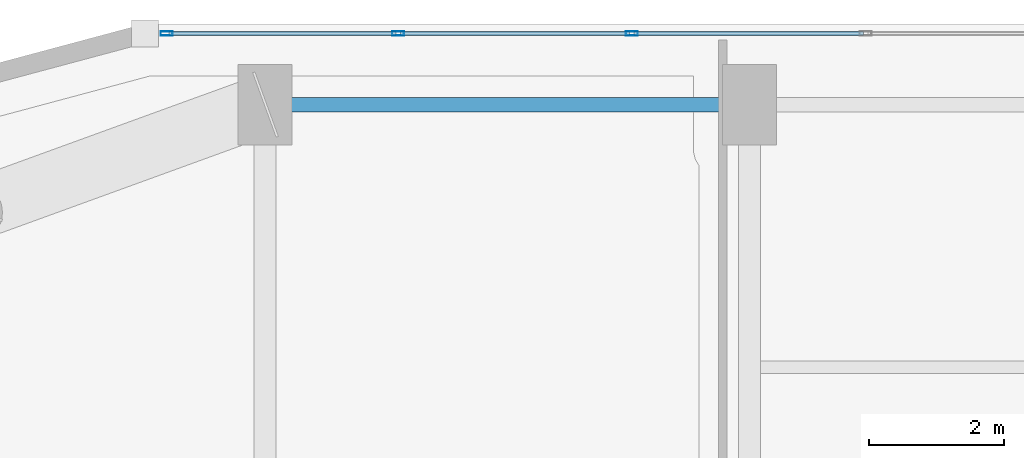
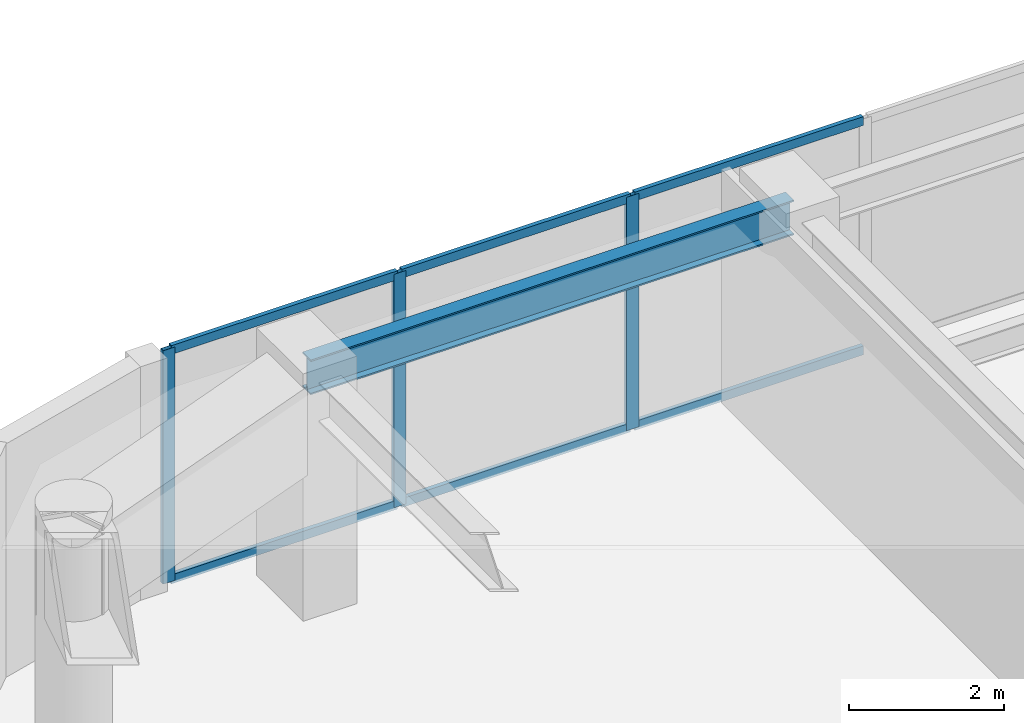
# One storey, part 17 of 30: 9 members, 1 beam, 1 element without a shape of its own.
"""IFC4 building model written with IfcOpenShell, lengths in metres."""

from ifc_helpers import new_model, si_unit, direction, frame, origin, origin_2d, place, context, subcontext, project, spatial, hollow_rectangle, i_section, extrude, material, layer, layer_set, material_profile, profile_set, type_object, element, aggregate, save


model = new_model("IFC4")

# Units and contexts
model_context = context("Model", 3, precision=1e-05, world=origin(), true_north=direction((0.0, 1.0)))
body_context = subcontext(model_context, "Body", "Model", "MODEL_VIEW")
ifc_project = project(units=[si_unit("LENGTHUNIT", "METRE"), si_unit("AREAUNIT", "SQUARE_METRE"), si_unit("VOLUMEUNIT", "CUBIC_METRE"), si_unit("PLANEANGLEUNIT", "RADIAN"), si_unit("MASSUNIT", "GRAM", prefix="KILO")], contexts=[model_context])

# Site, building, storey
site_placement = place(None, origin())
site = spatial("IfcSite", under=ifc_project, at=site_placement, CompositionType="ELEMENT")
building_placement = place(site_placement, origin())
building = spatial("IfcBuilding", under=site, at=building_placement, Name="Kiyonajd Concourse Tower", CompositionType="ELEMENT")
storey_placement = place(building_placement, frame((0.0, 0.0, 166.199951171875)))
storey = spatial("IfcBuildingStorey", under=building, at=storey_placement, Name="L42", CompositionType="ELEMENT", Elevation=166.199951171875)

# Beam
ifc_material_1 = material(Name="Steel ASTM A992 Grade 50", Category="steel")
ifc_material_profile_1 = material_profile(ifc_material_1, i_section(OverallWidth=0.214111328125, OverallDepth=0.549072265625, WebThickness=0.0146484375, FlangeThickness=0.023681640625, at=origin_2d()), Name="W530X138")
ifc_profile_set_1 = profile_set([ifc_material_profile_1], Name="Steel ASTM A992 Grade 50")
beam_type = type_object("IfcBeamType", Name="BM-SPAN-530A", PredefinedType="SPANDREL", material=ifc_profile_set_1)
beam_placement = place(storey_placement, frame((32.39990234375, 61.199951171875, 3.405517578125), z_axis=(-1.0, 0.0, 0.0), x_axis=(0.0, -1.0, 0.0)))
element("IfcBeam", 1, at=beam_placement, inside=storey, type_object=beam_type, Name="L42 Perimeter Bundled Tube Spandrel", PredefinedType="SPANDREL", context=body_context, shape_type="SweptSolid", body=[
    extrude(i_section(OverallWidth=0.214111328125, OverallDepth=0.549072265625, WebThickness=0.0146484375, FlangeThickness=0.023681640625, at=origin_2d()), origin(), (0.0, 0.0, 1.0), 7.199951171875),
])

# Curtain wall, members
ifc_material_2 = material(Name="Thermally Broken Anodised Aluminium", Category="aluminium")
ifc_layer = layer(ifc_material_2, 0.179931640625)
ifc_layer_set = layer_set([ifc_layer], Name="Thermally Broken Anodised Aluminium")
curtain_wall_type = type_object("IfcCurtainWallType", Name="CW-SYS-03", PredefinedType="NOTDEFINED", material=ifc_layer_set)
curtain_wall_placement = place(storey_placement, origin())
curtain_wall = element("IfcCurtainWall", 2, at=curtain_wall_placement, inside=storey, type_object=curtain_wall_type, Name="L42 Unitised Curtain Wall CW3", PredefinedType="NOTDEFINED")
ifc_material_profile_2 = material_profile(ifc_material_2, hollow_rectangle(XDim=0.06494140625, YDim=0.179931640625, WallThickness=0.00390625, at=origin_2d()), Name="MULL-65x180")
ifc_profile_set_2 = profile_set([ifc_material_profile_2], Name="Thermally Broken Anodised Aluminium")
member_type_1 = type_object("IfcMemberType", Name="MB-CW-MULL1", PredefinedType="MULLION", material=ifc_profile_set_2)
member_1_placement = place(storey_placement, frame((23.740966796875, 62.260009765625, 0.0), z_axis=(0.0, 0.0, 1.0), x_axis=(0.0, 1.0, 0.0)))
member_1 = element("IfcMember", 3, at=member_1_placement, type_object=member_type_1, Name="CW3 mullion 1", PredefinedType="MULLION", context=body_context, shape_type="SweptSolid", body=[
    extrude(hollow_rectangle(XDim=0.06494140625, YDim=0.179931640625, WallThickness=0.00390625, at=origin_2d()), origin(), (0.0, 0.0, 1.0), 3.679931640625),
])
member_2_placement = place(storey_placement, frame((27.180908203125, 62.260009765625, 0.0), z_axis=(0.0, 0.0, 1.0), x_axis=(0.0, 1.0, 0.0)))
member_2 = element("IfcMember", 4, at=member_2_placement, type_object=member_type_1, Name="CW3 mullion 2", PredefinedType="MULLION", context=body_context, shape_type="SweptSolid", body=[
    extrude(hollow_rectangle(XDim=0.06494140625, YDim=0.179931640625, WallThickness=0.00390625, at=origin_2d()), origin(), (0.0, 0.0, 1.0), 3.679931640625),
])
member_3_placement = place(storey_placement, frame((30.6533203125, 62.260009765625, 0.0), z_axis=(0.0, 0.0, 1.0), x_axis=(0.0, 1.0, 0.0)))
member_3 = element("IfcMember", 5, at=member_3_placement, type_object=member_type_1, Name="CW3 mullion 3", PredefinedType="MULLION", context=body_context, shape_type="SweptSolid", body=[
    extrude(hollow_rectangle(XDim=0.06494140625, YDim=0.179931640625, WallThickness=0.00390625, at=origin_2d()), origin(), (0.0, 0.0, 1.0), 3.679931640625),
])
ifc_material_profile_3 = material_profile(ifc_material_2, hollow_rectangle(XDim=0.06494140625, YDim=0.139892578125, WallThickness=0.00390625, at=origin_2d()), Name="TRAN-65x140")
ifc_profile_set_3 = profile_set([ifc_material_profile_3], Name="Thermally Broken Anodised Aluminium")
member_type_2 = type_object("IfcMemberType", Name="MB-CW-TRAN1", PredefinedType="USERDEFINED", material=ifc_profile_set_3)
member_4_placement = place(storey_placement, frame((23.7734375, 62.260009765625, 0.032470703125), z_axis=(1.0, 0.0, 0.0), x_axis=(0.0, 1.0, 0.0)))
member_4 = element("IfcMember", 6, at=member_4_placement, type_object=member_type_2, Name="CW3 transom 1.1", ObjectType="TRANSOM", PredefinedType="USERDEFINED", context=body_context, shape_type="SweptSolid", body=[
    extrude(hollow_rectangle(XDim=0.06494140625, YDim=0.139892578125, WallThickness=0.00390625, at=origin_2d()), origin(), (0.0, 0.0, 1.0), 3.374755859375),
])
member_5_placement = place(storey_placement, frame((23.7734375, 62.260009765625, 3.6474609375), z_axis=(1.0, 0.0, 0.0), x_axis=(0.0, 1.0, 0.0)))
member_5 = element("IfcMember", 7, at=member_5_placement, type_object=member_type_2, Name="CW3 transom 1.2", ObjectType="TRANSOM", PredefinedType="USERDEFINED", context=body_context, shape_type="SweptSolid", body=[
    extrude(hollow_rectangle(XDim=0.06494140625, YDim=0.139892578125, WallThickness=0.00390625, at=origin_2d()), origin(), (0.0, 0.0, 1.0), 3.374755859375),
])
member_6_placement = place(storey_placement, frame((27.21337890625, 62.260009765625, 0.032470703125), z_axis=(1.0, 0.0, 0.0), x_axis=(0.0, 1.0, 0.0)))
member_6 = element("IfcMember", 8, at=member_6_placement, type_object=member_type_2, Name="CW3 transom 2.1", ObjectType="TRANSOM", PredefinedType="USERDEFINED", context=body_context, shape_type="SweptSolid", body=[
    extrude(hollow_rectangle(XDim=0.06494140625, YDim=0.139892578125, WallThickness=0.00390625, at=origin_2d()), origin(), (0.0, 0.0, 1.0), 3.4072265625),
])
member_7_placement = place(storey_placement, frame((27.21337890625, 62.260009765625, 3.6474609375), z_axis=(1.0, 0.0, 0.0), x_axis=(0.0, 1.0, 0.0)))
member_7 = element("IfcMember", 9, at=member_7_placement, type_object=member_type_2, Name="CW3 transom 2.2", ObjectType="TRANSOM", PredefinedType="USERDEFINED", context=body_context, shape_type="SweptSolid", body=[
    extrude(hollow_rectangle(XDim=0.06494140625, YDim=0.139892578125, WallThickness=0.00390625, at=origin_2d()), origin(), (0.0, 0.0, 1.0), 3.4072265625),
])
member_8_placement = place(storey_placement, frame((30.685791015625, 62.260009765625, 0.032470703125), z_axis=(1.0, 0.0, 0.0), x_axis=(0.0, 1.0, 0.0)))
member_8 = element("IfcMember", 10, at=member_8_placement, type_object=member_type_2, Name="CW3 transom 3.1", ObjectType="TRANSOM", PredefinedType="USERDEFINED", context=body_context, shape_type="SweptSolid", body=[
    extrude(hollow_rectangle(XDim=0.06494140625, YDim=0.139892578125, WallThickness=0.00390625, at=origin_2d()), origin(), (0.0, 0.0, 1.0), 3.4072265625),
])
member_9_placement = place(storey_placement, frame((30.685791015625, 62.260009765625, 3.6474609375), z_axis=(1.0, 0.0, 0.0), x_axis=(0.0, 1.0, 0.0)))
member_9 = element("IfcMember", 11, at=member_9_placement, type_object=member_type_2, Name="CW3 transom 3.2", ObjectType="TRANSOM", PredefinedType="USERDEFINED", context=body_context, shape_type="SweptSolid", body=[
    extrude(hollow_rectangle(XDim=0.06494140625, YDim=0.139892578125, WallThickness=0.00390625, at=origin_2d()), origin(), (0.0, 0.0, 1.0), 3.4072265625),
])
aggregate(curtain_wall, [member_1, member_2, member_3, member_4, member_5, member_6, member_7, member_8, member_9])

save(model, "model.ifc")
